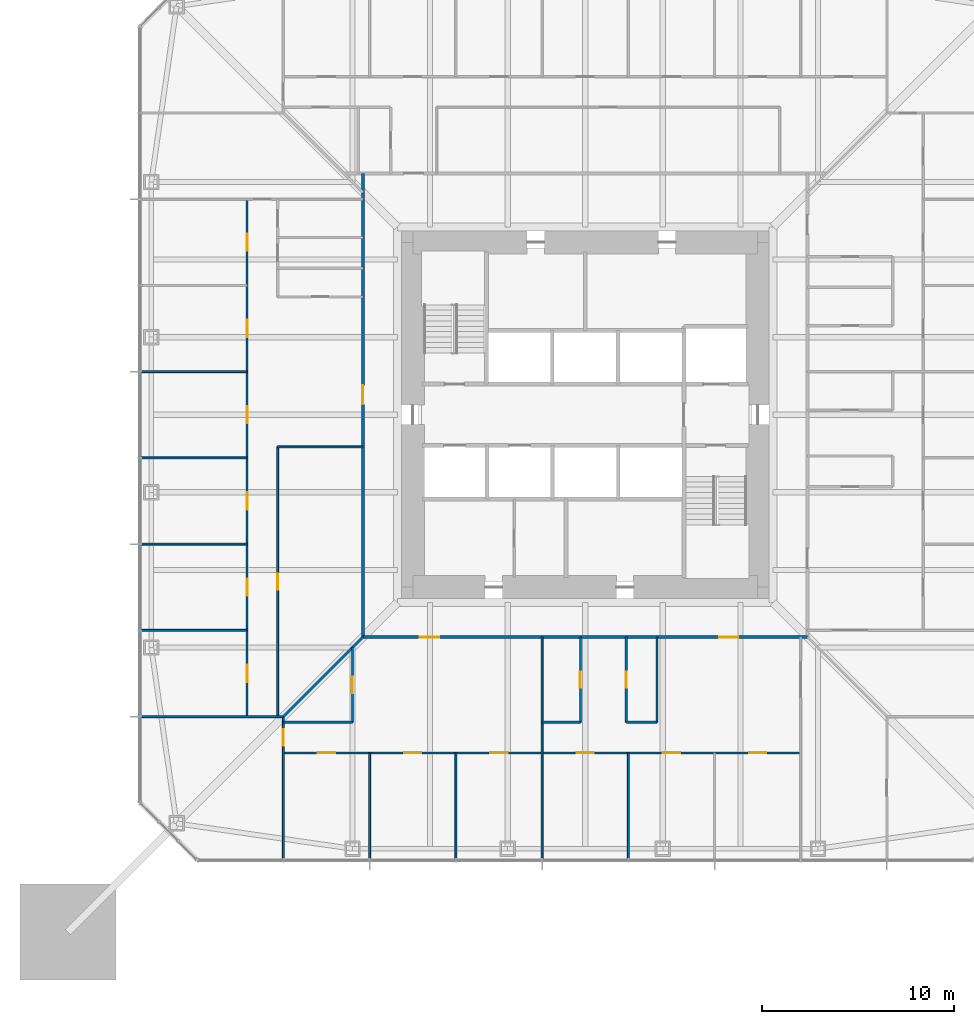
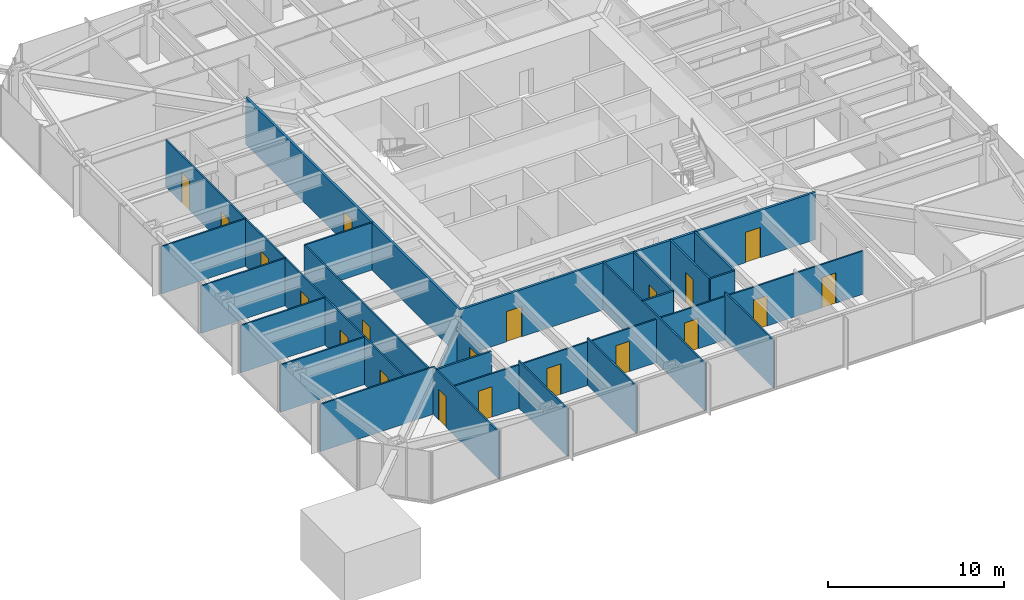
# One storey, part 14 of 26: 24 walls, 20 doors, 20 openings.
"""IFC4 building model written with IfcOpenShell, lengths in metres."""

from ifc_helpers import new_model, si_unit, direction, frame, frame_2d, origin, place, context, subcontext, project, spatial, rectangle, extrude, material, layer, layer_set, type_object, element, fill, save


model = new_model("IFC4")

# Units and contexts
model_context = context("Model", 3, precision=1e-05, world=origin(), true_north=direction((0.0, 1.0)))
body_context = subcontext(model_context, "Body", "Model", "MODEL_VIEW")
ifc_project = project(units=[si_unit("LENGTHUNIT", "METRE"), si_unit("AREAUNIT", "SQUARE_METRE"), si_unit("VOLUMEUNIT", "CUBIC_METRE"), si_unit("PLANEANGLEUNIT", "RADIAN"), si_unit("MASSUNIT", "GRAM", prefix="KILO")], contexts=[model_context])

# Site, building, storey
site_placement = place(None, origin())
site = spatial("IfcSite", under=ifc_project, at=site_placement, CompositionType="ELEMENT")
building_placement = place(site_placement, origin())
building = spatial("IfcBuilding", under=site, at=building_placement, Name="Iwan Alto Co-Living Towers", CompositionType="ELEMENT")
storey_placement = place(building_placement, frame((0.0, 0.0, 36.0)))
storey = spatial("IfcBuildingStorey", under=building, at=storey_placement, Name="L09", CompositionType="ELEMENT", Elevation=36.0)

# Wall, openings, doors
ifc_material_1 = material(Name="Gypsum board")
ifc_layer_1 = layer(ifc_material_1, 0.02490234375, Name="Board", Category="Finish")
ifc_material_2 = material(Name="Steel ASTM A1003 ST33H cold-formed studs", Category="steel")
ifc_layer_2 = layer(ifc_material_2, 0.10009765625, Name="Studs", Category="Framing")
ifc_layer_3 = layer(ifc_material_1, 0.02490234375, Name="Board", Category="Finish")
ifc_layer_set_1 = layer_set([ifc_layer_1, ifc_layer_2, ifc_layer_3], Name="CORRIDOR WALL 150")
wall_type_1 = type_object("IfcWallType", Name="CORRIDOR WALL 150", PredefinedType="PARTITIONING", material=ifc_layer_set_1)
wall_1_placement = place(storey_placement, frame((-11.60009765625, -11.60009765625, 0.0), z_axis=(0.0, 0.0, 1.0), x_axis=(1.0, 0.0, 0.0)))
wall_1 = element("IfcWall", 1, at=wall_1_placement, inside=storey, type_object=wall_type_1, Name="Partition L09", PredefinedType="PARTITIONING", context=body_context, shape_type="SweptSolid", body=[
    extrude(rectangle(XDim=23.2001953125, YDim=0.14990234375, at=frame_2d((11.60009765625, 0.0))), origin(), (0.0, 0.0, 1.0), 3.27001953125),
])
opening_1_placement = place(wall_1_placement, frame((2.97509765625, 0.0, 0.0)))
opening_1 = element("IfcOpeningElement", 2, at=opening_1_placement, cuts=wall_1, Name="Opening D3", PredefinedType="OPENING", context=body_context, shape_type="SweptSolid", body=[
    extrude(rectangle(XDim=1.0, YDim=2.10009765625, at=frame_2d((0.5, 1.050048828125))), frame((0.0, 0.0849609375, 0.0), z_axis=(0.0, -1.0, 0.0), x_axis=(1.0, 0.0, 0.0)), (0.0, 0.0, 1.0), 0.169921875),
])
opening_2_placement = place(wall_1_placement, frame((18.60009765625, 0.0, 0.0)))
opening_2 = element("IfcOpeningElement", 3, at=opening_2_placement, cuts=wall_1, Name="Opening D3", PredefinedType="OPENING", context=body_context, shape_type="SweptSolid", body=[
    extrude(rectangle(XDim=1.0, YDim=2.10009765625, at=frame_2d((0.5, 1.050048828125))), frame((0.0, 0.0849609375, 0.0), z_axis=(0.0, -1.0, 0.0), x_axis=(1.0, 0.0, 0.0)), (0.0, 0.0, 1.0), 0.169921875),
])
ifc_material_3 = material(Name="Steel frame with timber leaf", Category="steel")
door_type_1 = type_object("IfcDoorType", Name="FLAT ENTRANCE DOOR FD30S 1000X2100", OperationType="SINGLE_SWING_LEFT", PredefinedType="DOOR", material=ifc_material_3)
door_1_placement = place(opening_1_placement, frame((1.0, 0.0, 0.0), z_axis=(0.0, 0.0, 1.0), x_axis=(-1.0, 0.0, 0.0)))
door_1 = element("IfcDoor", 4, at=door_1_placement, inside=storey, type_object=door_type_1, Name="Cluster lounge door L09", OperationType="SINGLE_SWING_RIGHT", OverallHeight=2.10009765625, OverallWidth=1.0, PredefinedType="DOOR", context=body_context, shape_type="SweptSolid", body=[
    extrude(rectangle(XDim=1.0, YDim=2.10009765625, at=frame_2d((0.5, 1.050048828125))), frame((0.0, 0.02490234375, 0.0), z_axis=(0.0, -1.0, 0.0), x_axis=(1.0, 0.0, 0.0)), (0.0, 0.0, 1.0), 0.050048828125),
])
fill(opening_1, door_1)
door_2_placement = place(opening_2_placement, frame((1.0, 0.0, 0.0), z_axis=(0.0, 0.0, 1.0), x_axis=(-1.0, 0.0, 0.0)))
door_2 = element("IfcDoor", 5, at=door_2_placement, inside=storey, type_object=door_type_1, Name="Cluster lounge and shared kitchen door L09", OperationType="SINGLE_SWING_RIGHT", OverallHeight=2.10009765625, OverallWidth=1.0, PredefinedType="DOOR", context=body_context, shape_type="SweptSolid", body=[
    extrude(rectangle(XDim=1.0, YDim=2.10009765625, at=frame_2d((0.5, 1.050048828125))), frame((0.0, 0.02490234375, 0.0), z_axis=(0.0, -1.0, 0.0), x_axis=(1.0, 0.0, 0.0)), (0.0, 0.0, 1.0), 0.050048828125),
])
fill(opening_2, door_2)

# Wall, opening, door
wall_2_placement = place(storey_placement, frame((-11.60009765625, -11.60009765625, 0.0), z_axis=(0.0, 0.0, 1.0), x_axis=(0.0, 1.0, 0.0)))
wall_2 = element("IfcWall", 6, at=wall_2_placement, inside=storey, type_object=wall_type_1, Name="Partition L09", PredefinedType="PARTITIONING", context=body_context, shape_type="SweptSolid", body=[
    extrude(rectangle(XDim=24.2001953125, YDim=0.14990234375, at=frame_2d((12.10009765625, 0.0))), origin(), (0.0, 0.0, 1.0), 3.27001953125),
])
opening_3_placement = place(wall_2_placement, frame((12.139892578125, 0.0, 0.0)))
opening_3 = element("IfcOpeningElement", 7, at=opening_3_placement, cuts=wall_2, Name="Opening D3", PredefinedType="OPENING", context=body_context, shape_type="SweptSolid", body=[
    extrude(rectangle(XDim=1.0, YDim=2.10009765625, at=frame_2d((0.5, 1.050048828125))), frame((0.0, 0.0849609375, 0.0), z_axis=(0.0, -1.0, 0.0), x_axis=(1.0, 0.0, 0.0)), (0.0, 0.0, 1.0), 0.169921875),
])
door_3_placement = place(opening_3_placement, origin())
door_3 = element("IfcDoor", 8, at=door_3_placement, inside=storey, type_object=door_type_1, Name="Cluster lounge and shared kitchen door L09", OperationType="SINGLE_SWING_LEFT", OverallHeight=2.10009765625, OverallWidth=1.0, PredefinedType="DOOR", context=body_context, shape_type="SweptSolid", body=[
    extrude(rectangle(XDim=1.0, YDim=2.10009765625, at=frame_2d((0.5, 1.050048828125))), frame((0.0, 0.02490234375, 0.0), z_axis=(0.0, -1.0, 0.0), x_axis=(1.0, 0.0, 0.0)), (0.0, 0.0, 1.0), 0.050048828125),
])
fill(opening_3, door_3)

# Wall, openings, doors
ifc_layer_4 = layer(ifc_material_1, 0.012451171875, Name="Board", Category="Finish")
ifc_layer_5 = layer(ifc_material_2, 0.074951171875, Name="Studs", Category="Framing")
ifc_layer_6 = layer(ifc_material_1, 0.012451171875, Name="Board", Category="Finish")
ifc_layer_set_2 = layer_set([ifc_layer_4, ifc_layer_5, ifc_layer_6], Name="PARTITION 100")
wall_type_2 = type_object("IfcWallType", Name="PARTITION 100", PredefinedType="PARTITIONING", material=ifc_layer_set_2)
wall_3_placement = place(storey_placement, frame((-15.75, -17.64990234375, 0.0), z_axis=(0.0, 0.0, 1.0), x_axis=(1.0, 0.0, 0.0)))
wall_3 = element("IfcWall", 9, at=wall_3_placement, inside=storey, type_object=wall_type_2, Name="Partition L09", PredefinedType="PARTITIONING", context=body_context, shape_type="SweptSolid", body=[
    extrude(rectangle(XDim=27.0, YDim=0.10009765625, at=frame_2d((13.5, 0.0))), origin(), (0.0, 0.0, 1.0), 3.0),
])
opening_4_placement = place(wall_3_placement, frame((1.800048828125, 0.0, 0.0)))
opening_4 = element("IfcOpeningElement", 10, at=opening_4_placement, cuts=wall_3, Name="Opening D1", PredefinedType="OPENING", context=body_context, shape_type="SweptSolid", body=[
    extrude(rectangle(XDim=0.89990234375, YDim=2.10009765625, at=frame_2d((0.449951171875, 1.050048828125))), frame((0.0, 0.06005859375, 0.0), z_axis=(0.0, -1.0, 0.0), x_axis=(1.0, 0.0, 0.0)), (0.0, 0.0, 1.0), 0.1201171875),
])
opening_5_placement = place(wall_3_placement, frame((6.300048828125, 0.0, 0.0)))
opening_5 = element("IfcOpeningElement", 11, at=opening_5_placement, cuts=wall_3, Name="Opening D1", PredefinedType="OPENING", context=body_context, shape_type="SweptSolid", body=[
    extrude(rectangle(XDim=0.89990234375, YDim=2.10009765625, at=frame_2d((0.449951171875, 1.050048828125))), frame((0.0, 0.06005859375, 0.0), z_axis=(0.0, -1.0, 0.0), x_axis=(1.0, 0.0, 0.0)), (0.0, 0.0, 1.0), 0.1201171875),
])
opening_6_placement = place(wall_3_placement, frame((10.800048828125, 0.0, 0.0)))
opening_6 = element("IfcOpeningElement", 12, at=opening_6_placement, cuts=wall_3, Name="Opening D1", PredefinedType="OPENING", context=body_context, shape_type="SweptSolid", body=[
    extrude(rectangle(XDim=0.89990234375, YDim=2.10009765625, at=frame_2d((0.449951171875, 1.050048828125))), frame((0.0, 0.06005859375, 0.0), z_axis=(0.0, -1.0, 0.0), x_axis=(1.0, 0.0, 0.0)), (0.0, 0.0, 1.0), 0.1201171875),
])
opening_7_placement = place(wall_3_placement, frame((15.300048828125, 0.0, 0.0)))
opening_7 = element("IfcOpeningElement", 13, at=opening_7_placement, cuts=wall_3, Name="Opening D1", PredefinedType="OPENING", context=body_context, shape_type="SweptSolid", body=[
    extrude(rectangle(XDim=0.89990234375, YDim=2.10009765625, at=frame_2d((0.449951171875, 1.050048828125))), frame((0.0, 0.06005859375, 0.0), z_axis=(0.0, -1.0, 0.0), x_axis=(1.0, 0.0, 0.0)), (0.0, 0.0, 1.0), 0.1201171875),
])
opening_8_placement = place(wall_3_placement, frame((19.800048828125, 0.0, 0.0)))
opening_8 = element("IfcOpeningElement", 14, at=opening_8_placement, cuts=wall_3, Name="Opening D1", PredefinedType="OPENING", context=body_context, shape_type="SweptSolid", body=[
    extrude(rectangle(XDim=0.89990234375, YDim=2.10009765625, at=frame_2d((0.449951171875, 1.050048828125))), frame((0.0, 0.06005859375, 0.0), z_axis=(0.0, -1.0, 0.0), x_axis=(1.0, 0.0, 0.0)), (0.0, 0.0, 1.0), 0.1201171875),
])
opening_9_placement = place(wall_3_placement, frame((24.300048828125, 0.0, 0.0)))
opening_9 = element("IfcOpeningElement", 15, at=opening_9_placement, cuts=wall_3, Name="Opening D1", PredefinedType="OPENING", context=body_context, shape_type="SweptSolid", body=[
    extrude(rectangle(XDim=0.89990234375, YDim=2.10009765625, at=frame_2d((0.449951171875, 1.050048828125))), frame((0.0, 0.06005859375, 0.0), z_axis=(0.0, -1.0, 0.0), x_axis=(1.0, 0.0, 0.0)), (0.0, 0.0, 1.0), 0.1201171875),
])
ifc_material_4 = material(Name="Timber leaf in steel frame", Category="steel")
door_type_2 = type_object("IfcDoorType", Name="BEDROOM DOOR 900X2100", OperationType="SINGLE_SWING_LEFT", PredefinedType="DOOR", material=ifc_material_4)
door_4_placement = place(opening_4_placement, origin())
door_4 = element("IfcDoor", 16, at=door_4_placement, inside=storey, type_object=door_type_2, Name="Study bedroom door L09", OperationType="SINGLE_SWING_LEFT", OverallHeight=2.10009765625, OverallWidth=0.89990234375, PredefinedType="DOOR", context=body_context, shape_type="SweptSolid", body=[
    extrude(rectangle(XDim=0.89990234375, YDim=2.10009765625, at=frame_2d((0.449951171875, 1.050048828125))), frame((0.0, 0.02490234375, 0.0), z_axis=(0.0, -1.0, 0.0), x_axis=(1.0, 0.0, 0.0)), (0.0, 0.0, 1.0), 0.050048828125),
])
fill(opening_4, door_4)
door_5_placement = place(opening_5_placement, origin())
door_5 = element("IfcDoor", 17, at=door_5_placement, inside=storey, type_object=door_type_2, Name="Study bedroom door L09", OperationType="SINGLE_SWING_LEFT", OverallHeight=2.10009765625, OverallWidth=0.89990234375, PredefinedType="DOOR", context=body_context, shape_type="SweptSolid", body=[
    extrude(rectangle(XDim=0.89990234375, YDim=2.10009765625, at=frame_2d((0.449951171875, 1.050048828125))), frame((0.0, 0.02490234375, 0.0), z_axis=(0.0, -1.0, 0.0), x_axis=(1.0, 0.0, 0.0)), (0.0, 0.0, 1.0), 0.050048828125),
])
fill(opening_5, door_5)
door_6_placement = place(opening_6_placement, origin())
door_6 = element("IfcDoor", 18, at=door_6_placement, inside=storey, type_object=door_type_2, Name="Study bedroom door L09", OperationType="SINGLE_SWING_RIGHT", OverallHeight=2.10009765625, OverallWidth=0.89990234375, PredefinedType="DOOR", context=body_context, shape_type="SweptSolid", body=[
    extrude(rectangle(XDim=0.89990234375, YDim=2.10009765625, at=frame_2d((0.449951171875, 1.050048828125))), frame((0.0, 0.02490234375, 0.0), z_axis=(0.0, -1.0, 0.0), x_axis=(1.0, 0.0, 0.0)), (0.0, 0.0, 1.0), 0.050048828125),
])
fill(opening_6, door_6)
door_7_placement = place(opening_7_placement, origin())
door_7 = element("IfcDoor", 19, at=door_7_placement, inside=storey, type_object=door_type_2, Name="Study bedroom door L09", OperationType="SINGLE_SWING_LEFT", OverallHeight=2.10009765625, OverallWidth=0.89990234375, PredefinedType="DOOR", context=body_context, shape_type="SweptSolid", body=[
    extrude(rectangle(XDim=0.89990234375, YDim=2.10009765625, at=frame_2d((0.449951171875, 1.050048828125))), frame((0.0, 0.02490234375, 0.0), z_axis=(0.0, -1.0, 0.0), x_axis=(1.0, 0.0, 0.0)), (0.0, 0.0, 1.0), 0.050048828125),
])
fill(opening_7, door_7)
door_8_placement = place(opening_8_placement, origin())
door_8 = element("IfcDoor", 20, at=door_8_placement, inside=storey, type_object=door_type_2, Name="Study bedroom door L09", OperationType="SINGLE_SWING_LEFT", OverallHeight=2.10009765625, OverallWidth=0.89990234375, PredefinedType="DOOR", context=body_context, shape_type="SweptSolid", body=[
    extrude(rectangle(XDim=0.89990234375, YDim=2.10009765625, at=frame_2d((0.449951171875, 1.050048828125))), frame((0.0, 0.02490234375, 0.0), z_axis=(0.0, -1.0, 0.0), x_axis=(1.0, 0.0, 0.0)), (0.0, 0.0, 1.0), 0.050048828125),
])
fill(opening_8, door_8)
door_9_placement = place(opening_9_placement, origin())
door_9 = element("IfcDoor", 21, at=door_9_placement, inside=storey, type_object=door_type_2, Name="Study bedroom door L09", OperationType="SINGLE_SWING_RIGHT", OverallHeight=2.10009765625, OverallWidth=0.89990234375, PredefinedType="DOOR", context=body_context, shape_type="SweptSolid", body=[
    extrude(rectangle(XDim=0.89990234375, YDim=2.10009765625, at=frame_2d((0.449951171875, 1.050048828125))), frame((0.0, 0.02490234375, 0.0), z_axis=(0.0, -1.0, 0.0), x_axis=(1.0, 0.0, 0.0)), (0.0, 0.0, 1.0), 0.050048828125),
])
fill(opening_9, door_9)

# Walls
wall_4_placement = place(storey_placement, frame((-23.18994140625, -15.75, 0.0), z_axis=(0.0, 0.0, 1.0), x_axis=(1.0, 0.0, 0.0)))
element("IfcWall", 22, at=wall_4_placement, inside=storey, type_object=wall_type_2, Name="Partition L09", PredefinedType="PARTITIONING", context=body_context, shape_type="SweptSolid", body=[
    extrude(rectangle(XDim=7.43994140625, YDim=0.10009765625, at=frame_2d((3.719970703125, 0.0))), origin(), (0.0, 0.0, 1.0), 3.27001953125),
])
for number, where, z_axis, x_axis, name in (
    (23, (-23.18994140625, -11.25, 0.0), (0.0, 0.0, 1.0), (1.0, 0.0, 0.0), "Partition L09"),
    (24, (-23.18994140625, -6.75, 0.0), (0.0, 0.0, 1.0), (1.0, 0.0, 0.0), "Partition L09"),
    (25, (-23.18994140625, -2.25, 0.0), (0.0, 0.0, 1.0), (1.0, 0.0, 0.0), "Partition L09"),
):
    element("IfcWall", number, at=place(storey_placement, frame(where, z_axis=z_axis, x_axis=x_axis)), inside=storey, type_object=wall_type_2, Name=name, PredefinedType="PARTITIONING", context=body_context, shape_type="SweptSolid", body=[
        extrude(rectangle(XDim=5.5400390625, YDim=0.10009765625, at=frame_2d((2.77001953125, 0.0))), origin(), (0.0, 0.0, 1.0), 3.27001953125),
    ])
wall_5_placement = place(storey_placement, frame((-16.050048828125, -1.669921875, 0.0), z_axis=(0.0, 0.0, 1.0), x_axis=(1.0, 0.0, 0.0)))
element("IfcWall", 26, at=wall_5_placement, inside=storey, type_object=wall_type_2, Name="Partition L09", PredefinedType="PARTITIONING", context=body_context, shape_type="SweptSolid", body=[
    extrude(rectangle(XDim=4.449951171875, YDim=0.10009765625, at=frame_2d((2.22509765625, 0.0))), origin(), (0.0, 0.0, 1.0), 3.27001953125),
])
for number, where, z_axis, x_axis, name in (
    (27, (-23.18994140625, 2.25, 0.0), (0.0, 0.0, 1.0), (1.0, 0.0, 0.0), "Partition L09"),
    (28, (2.25, -23.18994140625, 0.0), (0.0, 0.0, 1.0), (0.0, 1.0, 0.0), "Partition L09"),
):
    element("IfcWall", number, at=place(storey_placement, frame(where, z_axis=z_axis, x_axis=x_axis)), inside=storey, type_object=wall_type_2, Name=name, PredefinedType="PARTITIONING", context=body_context, shape_type="SweptSolid", body=[
        extrude(rectangle(XDim=5.5400390625, YDim=0.10009765625, at=frame_2d((2.77001953125, 0.0))), origin(), (0.0, 0.0, 1.0), 3.27001953125),
    ])
wall_6_placement = place(storey_placement, frame((-2.25, -23.18994140625, 0.0), z_axis=(0.0, 0.0, 1.0), x_axis=(0.0, 1.0, 0.0)))
element("IfcWall", 29, at=wall_6_placement, inside=storey, type_object=wall_type_2, Name="Partition L09", PredefinedType="PARTITIONING", context=body_context, shape_type="SweptSolid", body=[
    extrude(rectangle(XDim=11.58984375, YDim=0.10009765625, at=frame_2d((5.794921875, 0.0))), origin(), (0.0, 0.0, 1.0), 3.27001953125),
])
for number, where, z_axis, x_axis, name in (
    (30, (-6.75, -23.18994140625, 0.0), (0.0, 0.0, 1.0), (0.0, 1.0, 0.0), "Partition L09"),
    (31, (-11.25, -23.18994140625, 0.0), (0.0, 0.0, 1.0), (0.0, 1.0, 0.0), "Partition L09"),
):
    element("IfcWall", number, at=place(storey_placement, frame(where, z_axis=z_axis, x_axis=x_axis)), inside=storey, type_object=wall_type_2, Name=name, PredefinedType="PARTITIONING", context=body_context, shape_type="SweptSolid", body=[
        extrude(rectangle(XDim=5.5400390625, YDim=0.10009765625, at=frame_2d((2.77001953125, 0.0))), origin(), (0.0, 0.0, 1.0), 3.27001953125),
    ])

# Wall, opening, door
wall_7_placement = place(storey_placement, frame((-15.75, -23.18994140625, 0.0), z_axis=(0.0, 0.0, 1.0), x_axis=(0.0, 1.0, 0.0)))
wall_7 = element("IfcWall", 32, at=wall_7_placement, inside=storey, type_object=wall_type_2, Name="Partition L09", PredefinedType="PARTITIONING", context=body_context, shape_type="SweptSolid", body=[
    extrude(rectangle(XDim=7.43994140625, YDim=0.10009765625, at=frame_2d((3.719970703125, 0.0))), origin(), (0.0, 0.0, 1.0), 3.27001953125),
])
opening_10_placement = place(wall_7_placement, frame((5.9150390625, 0.0, 0.0)))
opening_10 = element("IfcOpeningElement", 33, at=opening_10_placement, cuts=wall_7, Name="Opening D2", PredefinedType="OPENING", context=body_context, shape_type="SweptSolid", body=[
    extrude(rectangle(XDim=0.85009765625, YDim=2.10009765625, at=frame_2d((0.425048828125, 1.050048828125))), frame((0.0, 0.06005859375, 0.0), z_axis=(0.0, -1.0, 0.0), x_axis=(1.0, 0.0, 0.0)), (0.0, 0.0, 1.0), 0.1201171875),
])
ifc_material_5 = material(Name="Timber leaf in steel frame", Category="steel")
door_type_3 = type_object("IfcDoorType", Name="ROOM DOOR 850X2100", OperationType="SINGLE_SWING_LEFT", PredefinedType="DOOR", material=ifc_material_5)
door_10_placement = place(opening_10_placement, frame((0.85009765625, 0.0, 0.0), z_axis=(0.0, 0.0, 1.0), x_axis=(-1.0, 0.0, 0.0)))
door_10 = element("IfcDoor", 34, at=door_10_placement, inside=storey, type_object=door_type_3, Name="Shared kitchen and dining room door L09", OperationType="SINGLE_SWING_RIGHT", OverallHeight=2.10009765625, OverallWidth=0.85009765625, PredefinedType="DOOR", context=body_context, shape_type="SweptSolid", body=[
    extrude(rectangle(XDim=0.85009765625, YDim=2.10009765625, at=frame_2d((0.425048828125, 1.050048828125))), frame((0.0, 0.02490234375, 0.0), z_axis=(0.0, -1.0, 0.0), x_axis=(1.0, 0.0, 0.0)), (0.0, 0.0, 1.0), 0.050048828125),
])
fill(opening_10, door_10)

wall_8_placement = place(storey_placement, frame((-16.050048828125, -15.75, 0.0), z_axis=(0.0, 0.0, 1.0), x_axis=(0.0, 1.0, 0.0)))
wall_8 = element("IfcWall", 35, at=wall_8_placement, inside=storey, type_object=wall_type_2, Name="Partition L09", PredefinedType="PARTITIONING", context=body_context, shape_type="SweptSolid", body=[
    extrude(rectangle(XDim=14.080078125, YDim=0.10009765625, at=frame_2d((7.0400390625, 0.0))), origin(), (0.0, 0.0, 1.0), 3.27001953125),
])
opening_11_placement = place(wall_8_placement, frame((6.614990234375, 0.0, 0.0)))
opening_11 = element("IfcOpeningElement", 36, at=opening_11_placement, cuts=wall_8, Name="Opening D2", PredefinedType="OPENING", context=body_context, shape_type="SweptSolid", body=[
    extrude(rectangle(XDim=0.85009765625, YDim=2.10009765625, at=frame_2d((0.425048828125, 1.050048828125))), frame((0.0, 0.06005859375, 0.0), z_axis=(0.0, -1.0, 0.0), x_axis=(1.0, 0.0, 0.0)), (0.0, 0.0, 1.0), 0.1201171875),
])
door_11_placement = place(opening_11_placement, origin())
door_11 = element("IfcDoor", 37, at=door_11_placement, inside=storey, type_object=door_type_3, Name="Study lounge door L09", OperationType="SINGLE_SWING_LEFT", OverallHeight=2.10009765625, OverallWidth=0.85009765625, PredefinedType="DOOR", context=body_context, shape_type="SweptSolid", body=[
    extrude(rectangle(XDim=0.85009765625, YDim=2.10009765625, at=frame_2d((0.425048828125, 1.050048828125))), frame((0.0, 0.02490234375, 0.0), z_axis=(0.0, -1.0, 0.0), x_axis=(1.0, 0.0, 0.0)), (0.0, 0.0, 1.0), 0.050048828125),
])
fill(opening_11, door_11)

# Wall, openings, doors
wall_9_placement = place(storey_placement, frame((-17.64990234375, -15.75, 0.0), z_axis=(0.0, 0.0, 1.0), x_axis=(0.0, 1.0, 0.0)))
wall_9 = element("IfcWall", 38, at=wall_9_placement, inside=storey, type_object=wall_type_2, Name="Partition L09", PredefinedType="PARTITIONING", context=body_context, shape_type="SweptSolid", body=[
    extrude(rectangle(XDim=27.0, YDim=0.10009765625, at=frame_2d((13.5, 0.0))), origin(), (0.0, 0.0, 1.0), 3.27001953125),
])
opening_12_placement = place(wall_9_placement, frame((24.300048828125, 0.0, 0.0)))
opening_12 = element("IfcOpeningElement", 39, at=opening_12_placement, cuts=wall_9, Name="Opening D1", PredefinedType="OPENING", context=body_context, shape_type="SweptSolid", body=[
    extrude(rectangle(XDim=0.89990234375, YDim=2.10009765625, at=frame_2d((0.449951171875, 1.050048828125))), frame((0.0, 0.06005859375, 0.0), z_axis=(0.0, -1.0, 0.0), x_axis=(1.0, 0.0, 0.0)), (0.0, 0.0, 1.0), 0.1201171875),
])
opening_13_placement = place(wall_9_placement, frame((19.800048828125, 0.0, 0.0)))
opening_13 = element("IfcOpeningElement", 40, at=opening_13_placement, cuts=wall_9, Name="Opening D1", PredefinedType="OPENING", context=body_context, shape_type="SweptSolid", body=[
    extrude(rectangle(XDim=0.89990234375, YDim=2.10009765625, at=frame_2d((0.449951171875, 1.050048828125))), frame((0.0, 0.06005859375, 0.0), z_axis=(0.0, -1.0, 0.0), x_axis=(1.0, 0.0, 0.0)), (0.0, 0.0, 1.0), 0.1201171875),
])
opening_14_placement = place(wall_9_placement, frame((15.300048828125, 0.0, 0.0)))
opening_14 = element("IfcOpeningElement", 41, at=opening_14_placement, cuts=wall_9, Name="Opening D1", PredefinedType="OPENING", context=body_context, shape_type="SweptSolid", body=[
    extrude(rectangle(XDim=0.89990234375, YDim=2.10009765625, at=frame_2d((0.449951171875, 1.050048828125))), frame((0.0, 0.06005859375, 0.0), z_axis=(0.0, -1.0, 0.0), x_axis=(1.0, 0.0, 0.0)), (0.0, 0.0, 1.0), 0.1201171875),
])
opening_15_placement = place(wall_9_placement, frame((10.800048828125, 0.0, 0.0)))
opening_15 = element("IfcOpeningElement", 42, at=opening_15_placement, cuts=wall_9, Name="Opening D1", PredefinedType="OPENING", context=body_context, shape_type="SweptSolid", body=[
    extrude(rectangle(XDim=0.89990234375, YDim=2.10009765625, at=frame_2d((0.449951171875, 1.050048828125))), frame((0.0, 0.06005859375, 0.0), z_axis=(0.0, -1.0, 0.0), x_axis=(1.0, 0.0, 0.0)), (0.0, 0.0, 1.0), 0.1201171875),
])
opening_16_placement = place(wall_9_placement, frame((6.300048828125, 0.0, 0.0)))
opening_16 = element("IfcOpeningElement", 43, at=opening_16_placement, cuts=wall_9, Name="Opening D1", PredefinedType="OPENING", context=body_context, shape_type="SweptSolid", body=[
    extrude(rectangle(XDim=0.89990234375, YDim=2.10009765625, at=frame_2d((0.449951171875, 1.050048828125))), frame((0.0, 0.06005859375, 0.0), z_axis=(0.0, -1.0, 0.0), x_axis=(1.0, 0.0, 0.0)), (0.0, 0.0, 1.0), 0.1201171875),
])
opening_17_placement = place(wall_9_placement, frame((1.800048828125, 0.0, 0.0)))
opening_17 = element("IfcOpeningElement", 44, at=opening_17_placement, cuts=wall_9, Name="Opening D1", PredefinedType="OPENING", context=body_context, shape_type="SweptSolid", body=[
    extrude(rectangle(XDim=0.89990234375, YDim=2.10009765625, at=frame_2d((0.449951171875, 1.050048828125))), frame((0.0, 0.06005859375, 0.0), z_axis=(0.0, -1.0, 0.0), x_axis=(1.0, 0.0, 0.0)), (0.0, 0.0, 1.0), 0.1201171875),
])
door_12_placement = place(opening_12_placement, frame((0.89990234375, 0.0, 0.0), z_axis=(0.0, 0.0, 1.0), x_axis=(-1.0, 0.0, 0.0)))
door_12 = element("IfcDoor", 45, at=door_12_placement, inside=storey, type_object=door_type_2, Name="Study bedroom door L09", OperationType="SINGLE_SWING_LEFT", OverallHeight=2.10009765625, OverallWidth=0.89990234375, PredefinedType="DOOR", context=body_context, shape_type="SweptSolid", body=[
    extrude(rectangle(XDim=0.89990234375, YDim=2.10009765625, at=frame_2d((0.449951171875, 1.050048828125))), frame((0.0, 0.02490234375, 0.0), z_axis=(0.0, -1.0, 0.0), x_axis=(1.0, 0.0, 0.0)), (0.0, 0.0, 1.0), 0.050048828125),
])
fill(opening_12, door_12)
door_13_placement = place(opening_13_placement, frame((0.89990234375, 0.0, 0.0), z_axis=(0.0, 0.0, 1.0), x_axis=(-1.0, 0.0, 0.0)))
door_13 = element("IfcDoor", 46, at=door_13_placement, inside=storey, type_object=door_type_2, Name="Study bedroom door L09", OperationType="SINGLE_SWING_LEFT", OverallHeight=2.10009765625, OverallWidth=0.89990234375, PredefinedType="DOOR", context=body_context, shape_type="SweptSolid", body=[
    extrude(rectangle(XDim=0.89990234375, YDim=2.10009765625, at=frame_2d((0.449951171875, 1.050048828125))), frame((0.0, 0.02490234375, 0.0), z_axis=(0.0, -1.0, 0.0), x_axis=(1.0, 0.0, 0.0)), (0.0, 0.0, 1.0), 0.050048828125),
])
fill(opening_13, door_13)
door_14_placement = place(opening_14_placement, frame((0.89990234375, 0.0, 0.0), z_axis=(0.0, 0.0, 1.0), x_axis=(-1.0, 0.0, 0.0)))
door_14 = element("IfcDoor", 47, at=door_14_placement, inside=storey, type_object=door_type_2, Name="Study bedroom door L09", OperationType="SINGLE_SWING_LEFT", OverallHeight=2.10009765625, OverallWidth=0.89990234375, PredefinedType="DOOR", context=body_context, shape_type="SweptSolid", body=[
    extrude(rectangle(XDim=0.89990234375, YDim=2.10009765625, at=frame_2d((0.449951171875, 1.050048828125))), frame((0.0, 0.02490234375, 0.0), z_axis=(0.0, -1.0, 0.0), x_axis=(1.0, 0.0, 0.0)), (0.0, 0.0, 1.0), 0.050048828125),
])
fill(opening_14, door_14)
door_15_placement = place(opening_15_placement, frame((0.89990234375, 0.0, 0.0), z_axis=(0.0, 0.0, 1.0), x_axis=(-1.0, 0.0, 0.0)))
door_15 = element("IfcDoor", 48, at=door_15_placement, inside=storey, type_object=door_type_2, Name="Study bedroom door L09", OperationType="SINGLE_SWING_RIGHT", OverallHeight=2.10009765625, OverallWidth=0.89990234375, PredefinedType="DOOR", context=body_context, shape_type="SweptSolid", body=[
    extrude(rectangle(XDim=0.89990234375, YDim=2.10009765625, at=frame_2d((0.449951171875, 1.050048828125))), frame((0.0, 0.02490234375, 0.0), z_axis=(0.0, -1.0, 0.0), x_axis=(1.0, 0.0, 0.0)), (0.0, 0.0, 1.0), 0.050048828125),
])
fill(opening_15, door_15)
door_16_placement = place(opening_16_placement, frame((0.89990234375, 0.0, 0.0), z_axis=(0.0, 0.0, 1.0), x_axis=(-1.0, 0.0, 0.0)))
door_16 = element("IfcDoor", 49, at=door_16_placement, inside=storey, type_object=door_type_2, Name="Study bedroom door L09", OperationType="SINGLE_SWING_RIGHT", OverallHeight=2.10009765625, OverallWidth=0.89990234375, PredefinedType="DOOR", context=body_context, shape_type="SweptSolid", body=[
    extrude(rectangle(XDim=0.89990234375, YDim=2.10009765625, at=frame_2d((0.449951171875, 1.050048828125))), frame((0.0, 0.02490234375, 0.0), z_axis=(0.0, -1.0, 0.0), x_axis=(1.0, 0.0, 0.0)), (0.0, 0.0, 1.0), 0.050048828125),
])
fill(opening_16, door_16)
door_17_placement = place(opening_17_placement, frame((0.89990234375, 0.0, 0.0), z_axis=(0.0, 0.0, 1.0), x_axis=(-1.0, 0.0, 0.0)))
door_17 = element("IfcDoor", 50, at=door_17_placement, inside=storey, type_object=door_type_2, Name="Study bedroom door L09", OperationType="SINGLE_SWING_RIGHT", OverallHeight=2.10009765625, OverallWidth=0.89990234375, PredefinedType="DOOR", context=body_context, shape_type="SweptSolid", body=[
    extrude(rectangle(XDim=0.89990234375, YDim=2.10009765625, at=frame_2d((0.449951171875, 1.050048828125))), frame((0.0, 0.02490234375, 0.0), z_axis=(0.0, -1.0, 0.0), x_axis=(1.0, 0.0, 0.0)), (0.0, 0.0, 1.0), 0.050048828125),
])
fill(opening_17, door_17)

# Walls
ifc_material_6 = material(Name="Cement board")
ifc_layer_7 = layer(ifc_material_6, 0.012451171875, Name="Board", Category="Finish")
ifc_layer_8 = layer(ifc_material_2, 0.094970703125, Name="Studs", Category="Framing")
ifc_layer_9 = layer(ifc_material_6, 0.012451171875, Name="Board", Category="Finish")
ifc_layer_set_3 = layer_set([ifc_layer_7, ifc_layer_8, ifc_layer_9], Name="WET AREA PARTITION 120")
wall_type_3 = type_object("IfcWallType", Name="WET AREA PARTITION 120", PredefinedType="PARTITIONING", material=ifc_layer_set_3)
wall_10_placement = place(storey_placement, frame((-15.75, -16.050048828125, 0.0), z_axis=(0.0, 0.0, 1.0), x_axis=(1.0, 0.0, 0.0)))
element("IfcWall", 51, at=wall_10_placement, inside=storey, type_object=wall_type_3, Name="Partition L09", PredefinedType="PARTITIONING", context=body_context, shape_type="SweptSolid", body=[
    extrude(rectangle(XDim=3.60009765625, YDim=0.1201171875, at=frame_2d((1.800048828125, 0.0))), origin(), (0.0, 0.0, 1.0), 3.27001953125),
])
wall_11_placement = place(storey_placement, frame((-2.25, -16.050048828125, 0.0), z_axis=(0.0, 0.0, 1.0), x_axis=(1.0, 0.0, 0.0)))
element("IfcWall", 52, at=wall_11_placement, inside=storey, type_object=wall_type_3, Name="Partition L09", PredefinedType="PARTITIONING", context=body_context, shape_type="SweptSolid", body=[
    extrude(rectangle(XDim=2.0, YDim=0.1201171875, at=frame_2d((1.0, 0.0))), origin(), (0.0, 0.0, 1.0), 3.27001953125),
])
wall_12_placement = place(storey_placement, frame((2.14990234375, -16.050048828125, 0.0), z_axis=(0.0, 0.0, 1.0), x_axis=(1.0, 0.0, 0.0)))
element("IfcWall", 53, at=wall_12_placement, inside=storey, type_object=wall_type_3, Name="Partition L09", PredefinedType="PARTITIONING", context=body_context, shape_type="SweptSolid", body=[
    extrude(rectangle(XDim=1.60009765625, YDim=0.1201171875, at=frame_2d((0.800048828125, 0.0))), origin(), (0.0, 0.0, 1.0), 3.27001953125),
])
wall_13_placement = place(storey_placement, frame((-15.75, -15.75, 0.0), z_axis=(0.0, 0.0, 1.0), x_axis=(0.707106781187, 0.707106781187, 0.0)))
element("IfcWall", 54, at=wall_13_placement, inside=storey, type_object=wall_type_3, Name="Partition L09", PredefinedType="PARTITIONING", context=body_context, shape_type="SweptSolid", body=[
    extrude(rectangle(XDim=5.868896484375, YDim=0.1201171875, at=frame_2d((2.9345703125, 0.0))), origin(), (0.0, 0.0, 1.0), 2.343017578125),
])
wall_14_placement = place(storey_placement, frame((3.75, -16.050048828125, 0.0), z_axis=(0.0, 0.0, 1.0), x_axis=(0.0, 1.0, 0.0)))
element("IfcWall", 55, at=wall_14_placement, inside=storey, type_object=wall_type_3, Name="Partition L09", PredefinedType="PARTITIONING", context=body_context, shape_type="SweptSolid", body=[
    extrude(rectangle(XDim=4.449951171875, YDim=0.1201171875, at=frame_2d((2.22509765625, 0.0))), origin(), (0.0, 0.0, 1.0), 3.27001953125),
])

# Wall, opening, door
wall_15_placement = place(storey_placement, frame((2.14990234375, -16.050048828125, 0.0), z_axis=(0.0, 0.0, 1.0), x_axis=(0.0, 1.0, 0.0)))
wall_15 = element("IfcWall", 56, at=wall_15_placement, inside=storey, type_object=wall_type_3, Name="Partition L09", PredefinedType="PARTITIONING", context=body_context, shape_type="SweptSolid", body=[
    extrude(rectangle(XDim=4.449951171875, YDim=0.1201171875, at=frame_2d((2.22509765625, 0.0))), origin(), (0.0, 0.0, 1.0), 3.27001953125),
])
opening_18_placement = place(wall_15_placement, frame((1.800048828125, 0.0, 0.0)))
opening_18 = element("IfcOpeningElement", 57, at=opening_18_placement, cuts=wall_15, Name="Opening D2", PredefinedType="OPENING", context=body_context, shape_type="SweptSolid", body=[
    extrude(rectangle(XDim=0.85009765625, YDim=2.10009765625, at=frame_2d((0.425048828125, 1.050048828125))), frame((0.0, 0.070068359375, 0.0), z_axis=(0.0, -1.0, 0.0), x_axis=(1.0, 0.0, 0.0)), (0.0, 0.0, 1.0), 0.14013671875),
])
door_18_placement = place(opening_18_placement, origin())
door_18 = element("IfcDoor", 58, at=door_18_placement, inside=storey, type_object=door_type_3, Name="Accessible bathroom door L09", OperationType="SINGLE_SWING_RIGHT", OverallHeight=2.10009765625, OverallWidth=0.85009765625, PredefinedType="DOOR", context=body_context, shape_type="SweptSolid", body=[
    extrude(rectangle(XDim=0.85009765625, YDim=2.10009765625, at=frame_2d((0.425048828125, 1.050048828125))), frame((0.0, 0.02490234375, 0.0), z_axis=(0.0, -1.0, 0.0), x_axis=(1.0, 0.0, 0.0)), (0.0, 0.0, 1.0), 0.050048828125),
])
fill(opening_18, door_18)

wall_16_placement = place(storey_placement, frame((-0.25, -16.050048828125, 0.0), z_axis=(0.0, 0.0, 1.0), x_axis=(0.0, 1.0, 0.0)))
wall_16 = element("IfcWall", 59, at=wall_16_placement, inside=storey, type_object=wall_type_3, Name="Partition L09", PredefinedType="PARTITIONING", context=body_context, shape_type="SweptSolid", body=[
    extrude(rectangle(XDim=4.449951171875, YDim=0.1201171875, at=frame_2d((2.22509765625, 0.0))), origin(), (0.0, 0.0, 1.0), 3.27001953125),
])
opening_19_placement = place(wall_16_placement, frame((1.800048828125, 0.0, 0.0)))
opening_19 = element("IfcOpeningElement", 60, at=opening_19_placement, cuts=wall_16, Name="Opening D2", PredefinedType="OPENING", context=body_context, shape_type="SweptSolid", body=[
    extrude(rectangle(XDim=0.85009765625, YDim=2.10009765625, at=frame_2d((0.425048828125, 1.050048828125))), frame((0.0, 0.070068359375, 0.0), z_axis=(0.0, -1.0, 0.0), x_axis=(1.0, 0.0, 0.0)), (0.0, 0.0, 1.0), 0.14013671875),
])
door_19_placement = place(opening_19_placement, frame((0.85009765625, 0.0, 0.0), z_axis=(0.0, 0.0, 1.0), x_axis=(-1.0, 0.0, 0.0)))
door_19 = element("IfcDoor", 61, at=door_19_placement, inside=storey, type_object=door_type_3, Name="Laundry door L09", OperationType="SINGLE_SWING_LEFT", OverallHeight=2.10009765625, OverallWidth=0.85009765625, PredefinedType="DOOR", context=body_context, shape_type="SweptSolid", body=[
    extrude(rectangle(XDim=0.85009765625, YDim=2.10009765625, at=frame_2d((0.425048828125, 1.050048828125))), frame((0.0, 0.02490234375, 0.0), z_axis=(0.0, -1.0, 0.0), x_axis=(1.0, 0.0, 0.0)), (0.0, 0.0, 1.0), 0.050048828125),
])
fill(opening_19, door_19)

wall_17_placement = place(storey_placement, frame((-12.14990234375, -16.050048828125, 0.0), z_axis=(0.0, 0.0, 1.0), x_axis=(0.0, 1.0, 0.0)))
wall_17 = element("IfcWall", 62, at=wall_17_placement, inside=storey, type_object=wall_type_3, Name="Partition L09", PredefinedType="PARTITIONING", context=body_context, shape_type="SweptSolid", body=[
    extrude(rectangle(XDim=3.900146484375, YDim=0.1201171875, at=frame_2d((1.9501953125, 0.0))), origin(), (0.0, 0.0, 1.0), 2.508056640625),
])
opening_20_placement = place(wall_17_placement, frame((1.52490234375, 0.0, 0.0)))
opening_20 = element("IfcOpeningElement", 63, at=opening_20_placement, cuts=wall_17, Name="Opening D2", PredefinedType="OPENING", context=body_context, shape_type="SweptSolid", body=[
    extrude(rectangle(XDim=0.85009765625, YDim=2.10009765625, at=frame_2d((0.425048828125, 1.050048828125))), frame((0.0, 0.070068359375, 0.0), z_axis=(0.0, -1.0, 0.0), x_axis=(1.0, 0.0, 0.0)), (0.0, 0.0, 1.0), 0.14013671875),
])
door_20_placement = place(opening_20_placement, frame((0.85009765625, 0.0, 0.0), z_axis=(0.0, 0.0, 1.0), x_axis=(-1.0, 0.0, 0.0)))
door_20 = element("IfcDoor", 64, at=door_20_placement, inside=storey, type_object=door_type_3, Name="Accessible bathroom door L09", OperationType="SINGLE_SWING_LEFT", OverallHeight=2.10009765625, OverallWidth=0.85009765625, PredefinedType="DOOR", context=body_context, shape_type="SweptSolid", body=[
    extrude(rectangle(XDim=0.85009765625, YDim=2.10009765625, at=frame_2d((0.425048828125, 1.050048828125))), frame((0.0, 0.02490234375, 0.0), z_axis=(0.0, -1.0, 0.0), x_axis=(1.0, 0.0, 0.0)), (0.0, 0.0, 1.0), 0.050048828125),
])
fill(opening_20, door_20)

save(model, "model.ifc")
